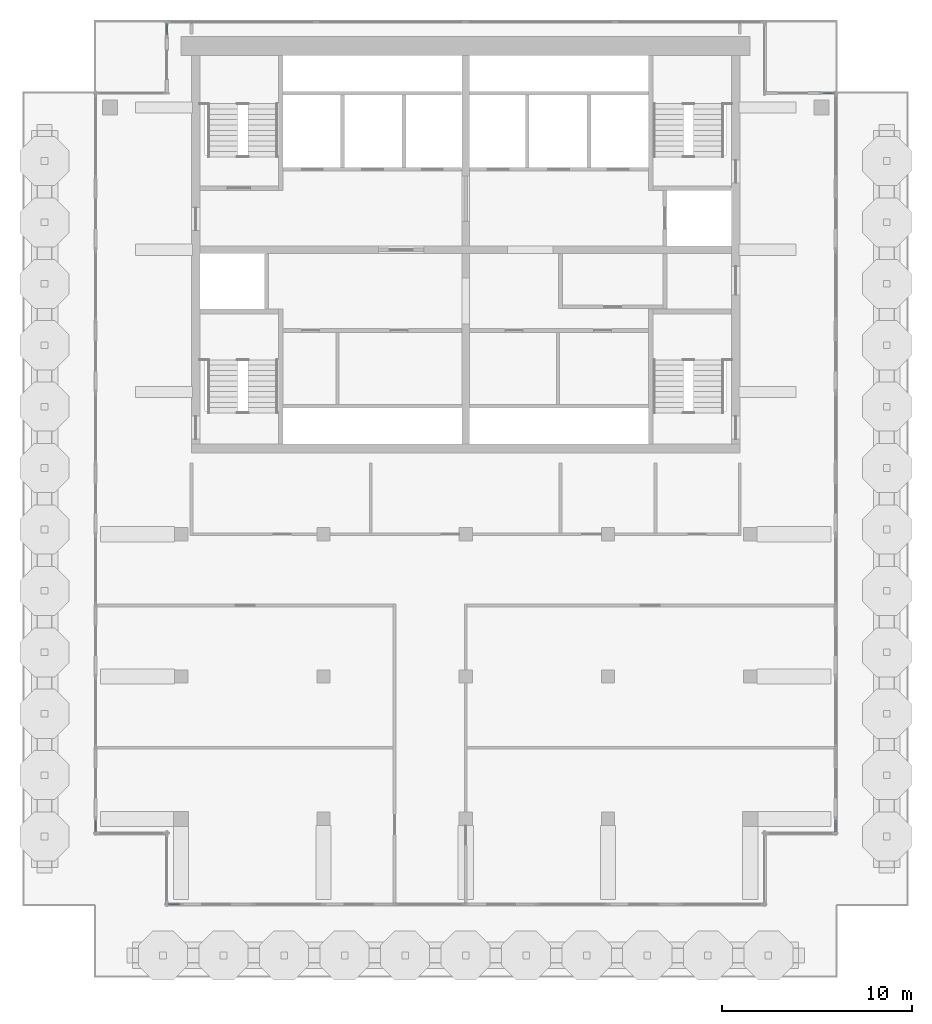
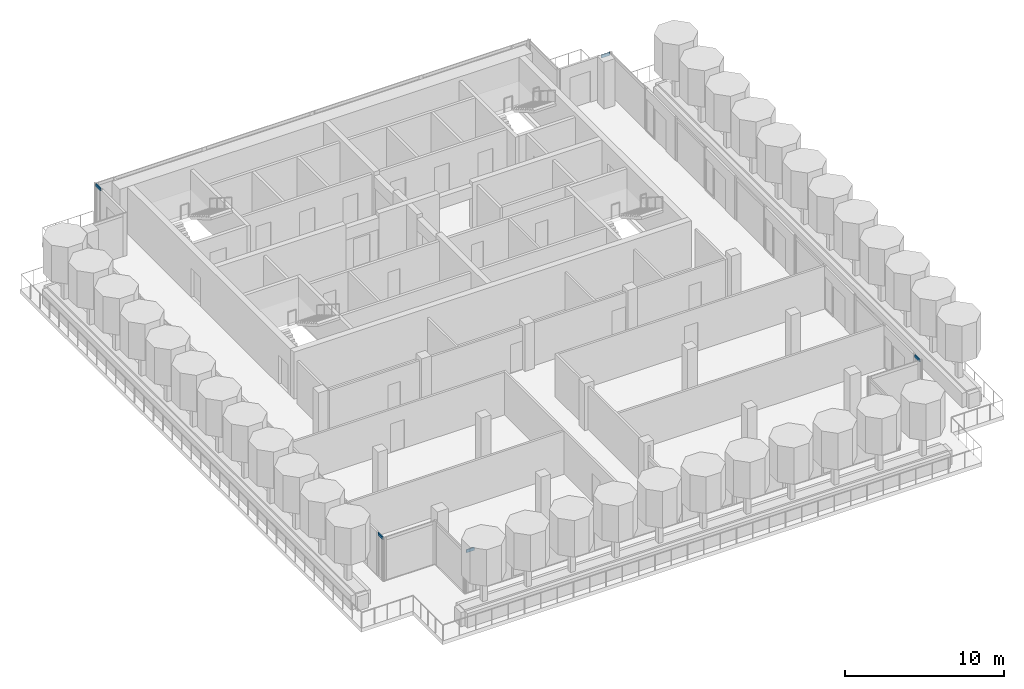
# One storey, part 4 of 15: 5 members, 5 elements without a shape of their own.
"""IFC4 building model written with IfcOpenShell, lengths in metres."""

from ifc_helpers import new_model, si_unit, direction, frame, origin, origin_2d, place, context, subcontext, project, spatial, rectangle, extrude, material, material_profile, profile_set, type_object, element, aggregate, save


model = new_model("IFC4")

# Units and contexts
model_context = context("Model", 3, precision=1e-05, world=origin(), true_north=direction((0.0, 1.0)))
body_context = subcontext(model_context, "Body", "Model", "MODEL_VIEW")
ifc_project = project(units=[si_unit("LENGTHUNIT", "METRE"), si_unit("AREAUNIT", "SQUARE_METRE"), si_unit("VOLUMEUNIT", "CUBIC_METRE"), si_unit("PLANEANGLEUNIT", "RADIAN"), si_unit("MASSUNIT", "GRAM", prefix="KILO")], contexts=[model_context])

# Site, building, storey
site_placement = place(None, origin())
site = spatial("IfcSite", under=ifc_project, at=site_placement, CompositionType="ELEMENT")
building_placement = place(site_placement, origin())
building = spatial("IfcBuilding", under=site, at=building_placement, Name="Pilkhan Gate Tower", CompositionType="ELEMENT")
storey_placement = place(building_placement, frame((0.0, 0.0, 265.699951171875)))
storey = spatial("IfcBuildingStorey", under=building, at=storey_placement, Name="L69", CompositionType="ELEMENT", Elevation=265.699951171875)

# Curtain wall, member
ifc_material_1 = material(Name="Pale anodised aluminium, clear low-iron double glazing", Category="aluminium")
curtain_wall_type = type_object("IfcCurtainWallType", Name="Crown unitised curtain wall CW-C", PredefinedType="USERDEFINED", material=ifc_material_1)
curtain_wall_1_placement = place(storey_placement, origin())
curtain_wall_1 = element("IfcCurtainWall", 1, at=curtain_wall_1_placement, inside=storey, type_object=curtain_wall_type, Name="Crown unitised curtain wall CW-C L69 E", ObjectType="UNITISED CURTAIN WALL", PredefinedType="USERDEFINED")
ifc_material_2 = material(Name="Pale anodised aluminium", Category="aluminium")
ifc_material_profile = material_profile(ifc_material_2, rectangle(XDim=0.074951171875, YDim=0.219970703125, at=origin_2d()), Name="Transom 220x75")
ifc_profile_set = profile_set([ifc_material_profile], Name="Pale anodised aluminium")
member_type = type_object("IfcMemberType", Name="Transom CW-C 220x75", PredefinedType="USERDEFINED", material=ifc_profile_set)
member_1_placement = place(storey_placement, frame((94.5, 51.824951171875, 3.18994140625), z_axis=(0.0, 1.0, 0.0), x_axis=(-1.0, 0.0, 0.0)))
member_1 = element("IfcMember", 2, at=member_1_placement, type_object=member_type, Name="CW-C transom 1", ObjectType="TRANSOM", PredefinedType="USERDEFINED", context=body_context, shape_type="SweptSolid", body=[
    extrude(rectangle(XDim=0.074951171875, YDim=0.219970703125, at=origin_2d()), origin(), (0.0, 0.0, 1.0), 0.60009765625),
])
aggregate(curtain_wall_1, [member_1])

curtain_wall_2_placement = place(storey_placement, origin())
curtain_wall_2 = element("IfcCurtainWall", 3, at=curtain_wall_2_placement, inside=storey, type_object=curtain_wall_type, Name="Crown unitised curtain wall CW-C L69 N", ObjectType="UNITISED CURTAIN WALL", PredefinedType="USERDEFINED")
member_2_placement = place(storey_placement, frame((93.824951171875, 90.75, 3.18994140625), z_axis=(1.0, 0.0, 0.0), x_axis=(0.0, 1.0, 0.0)))
member_2 = element("IfcMember", 4, at=member_2_placement, type_object=member_type, Name="CW-C transom 1", ObjectType="TRANSOM", PredefinedType="USERDEFINED", context=body_context, shape_type="SweptSolid", body=[
    extrude(rectangle(XDim=0.074951171875, YDim=0.219970703125, at=origin_2d()), origin(), (0.0, 0.0, 1.0), 0.60009765625),
])
aggregate(curtain_wall_2, [member_2])

curtain_wall_3_placement = place(storey_placement, origin())
curtain_wall_3 = element("IfcCurtainWall", 5, at=curtain_wall_3_placement, inside=storey, type_object=curtain_wall_type, Name="Crown unitised curtain wall CW-C L69 W", ObjectType="UNITISED CURTAIN WALL", PredefinedType="USERDEFINED")
member_3_placement = place(storey_placement, frame((59.25, 93.824951171875, 3.18994140625), z_axis=(0.0, 1.0, 0.0), x_axis=(-1.0, 0.0, 0.0)))
member_3 = element("IfcMember", 6, at=member_3_placement, type_object=member_type, Name="CW-C transom 1", ObjectType="TRANSOM", PredefinedType="USERDEFINED", context=body_context, shape_type="SweptSolid", body=[
    extrude(rectangle(XDim=0.074951171875, YDim=0.219970703125, at=origin_2d()), origin(), (0.0, 0.0, 1.0), 0.60009765625),
])
aggregate(curtain_wall_3, [member_3])

curtain_wall_4_placement = place(storey_placement, origin())
curtain_wall_4 = element("IfcCurtainWall", 7, at=curtain_wall_4_placement, inside=storey, type_object=curtain_wall_type, Name="Crown unitised curtain wall CW-C L69 W", ObjectType="UNITISED CURTAIN WALL", PredefinedType="USERDEFINED")
member_4_placement = place(storey_placement, frame((55.5, 51.824951171875, 3.18994140625), z_axis=(0.0, 1.0, 0.0), x_axis=(-1.0, 0.0, 0.0)))
member_4 = element("IfcMember", 8, at=member_4_placement, type_object=member_type, Name="CW-C transom 1", ObjectType="TRANSOM", PredefinedType="USERDEFINED", context=body_context, shape_type="SweptSolid", body=[
    extrude(rectangle(XDim=0.074951171875, YDim=0.219970703125, at=origin_2d()), origin(), (0.0, 0.0, 1.0), 0.60009765625),
])
aggregate(curtain_wall_4, [member_4])

curtain_wall_5_placement = place(storey_placement, origin())
curtain_wall_5 = element("IfcCurtainWall", 9, at=curtain_wall_5_placement, inside=storey, type_object=curtain_wall_type, Name="Crown unitised curtain wall CW-C L69 S", ObjectType="UNITISED CURTAIN WALL", PredefinedType="USERDEFINED")
member_5_placement = place(storey_placement, frame((59.324951171875, 48.0, 3.18994140625), z_axis=(1.0, 0.0, 0.0), x_axis=(0.0, 1.0, 0.0)))
member_5 = element("IfcMember", 10, at=member_5_placement, type_object=member_type, Name="CW-C transom 1", ObjectType="TRANSOM", PredefinedType="USERDEFINED", context=body_context, shape_type="SweptSolid", body=[
    extrude(rectangle(XDim=0.074951171875, YDim=0.219970703125, at=origin_2d()), origin(), (0.0, 0.0, 1.0), 0.60009765625),
])
aggregate(curtain_wall_5, [member_5])

save(model, "model.ifc")
